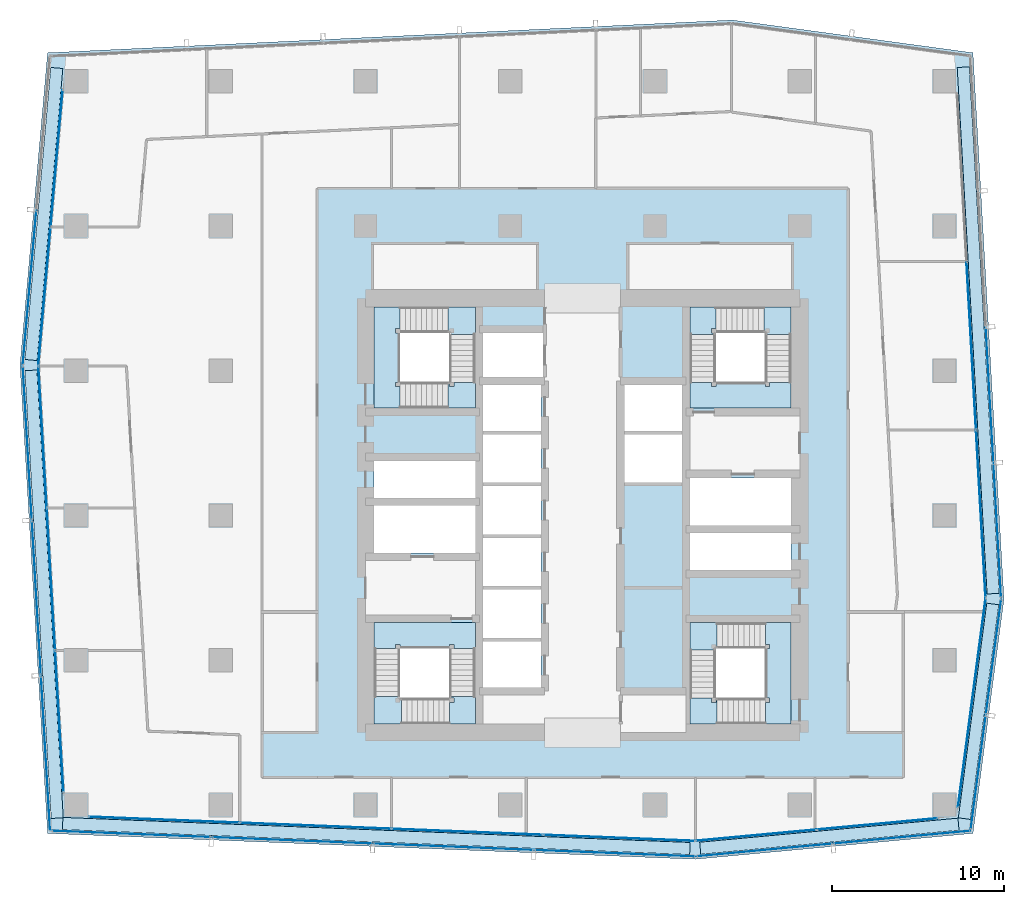
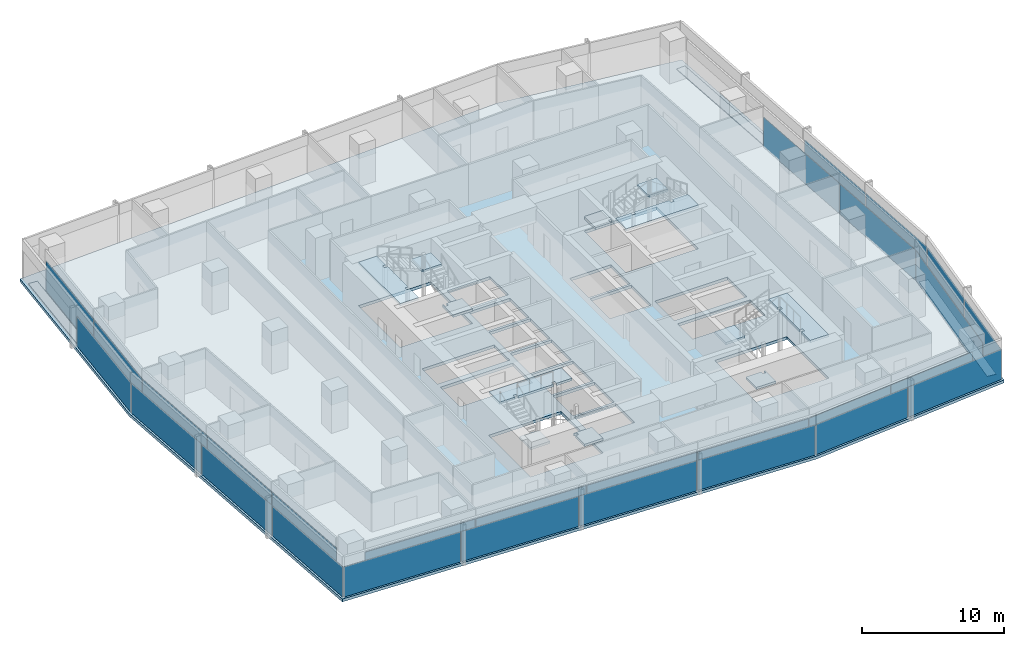
# One storey, part 26 of 38: 34 plates, 13 slabs, 16 elements without a shape of their own.
"""IFC4 building model written with IfcOpenShell, lengths in metres."""

from ifc_helpers import new_model, si_unit, direction, frame, origin, origin_2d, place, context, subcontext, project, spatial, polyline, rectangle, outline, extrude, material, layer, layer_set, type_object, element, aggregate, save


model = new_model("IFC4")

# Units and contexts
model_context = context("Model", 3, precision=1e-05, world=origin(), true_north=direction((0.0, 1.0)))
body_context = subcontext(model_context, "Body", "Model", "MODEL_VIEW")
ifc_project = project(units=[si_unit("LENGTHUNIT", "METRE"), si_unit("AREAUNIT", "SQUARE_METRE"), si_unit("VOLUMEUNIT", "CUBIC_METRE"), si_unit("PLANEANGLEUNIT", "RADIAN"), si_unit("MASSUNIT", "GRAM", prefix="KILO")], contexts=[model_context])

# Site, building, storey
site_placement = place(None, origin())
site = spatial("IfcSite", under=ifc_project, at=site_placement, CompositionType="ELEMENT")
building_placement = place(site_placement, origin())
building = spatial("IfcBuilding", under=site, at=building_placement, Name="Rekha Terrace Tower", CompositionType="ELEMENT")
storey_placement = place(building_placement, frame((0.0, 0.0, 195.199951171875)))
storey = spatial("IfcBuildingStorey", under=building, at=storey_placement, Name="L49", CompositionType="ELEMENT", Elevation=195.199951171875)

# Curtain wall, plates
ifc_material_1 = material(Name="Aluminium framing", Category="aluminium")
curtain_wall_type_1 = type_object("IfcCurtainWallType", Name="CW1 double skin inner glazing", PredefinedType="USERDEFINED", material=ifc_material_1)
curtain_wall_1_placement = place(storey_placement, origin())
curtain_wall_1 = element("IfcCurtainWall", 1, at=curtain_wall_1_placement, inside=storey, type_object=curtain_wall_type_1, Name="CW1 double skin inner glazing", ObjectType="DOUBLE SKIN INNER GLAZING", PredefinedType="USERDEFINED")
ifc_material_2 = material(Name="Double-glazed low-e unit 32", Category="glass")
ifc_layer_1 = layer(ifc_material_2, 0.031982421875)
ifc_layer_set_1 = layer_set([ifc_layer_1], Name="Double-glazed low-e unit 32")
plate_type_1 = type_object("IfcPlateType", Name="CW1 jumbo vision panel, double-glazed low-e unit 32", PredefinedType="CURTAIN_PANEL", material=ifc_layer_set_1)
plate_1_placement = place(storey_placement, frame((13.51318359375, 15.94091796875, 0.0), z_axis=(0.0, 0.0, 1.0), x_axis=(0.999204775798, -0.039872497061, 0.0)))
plate_1 = element("IfcPlate", 2, at=plate_1_placement, type_object=plate_type_1, Name="CW1 panel 1.1", PredefinedType="CURTAIN_PANEL", context=body_context, shape_type="SweptSolid", body=[
    extrude(rectangle(XDim=8.7138671875, YDim=0.031982421875, at=origin_2d()), origin(), (0.0, 0.0, 1.0), 2.60009765625),
])
plate_2_placement = place(storey_placement, frame((22.301025390625, 15.59033203125, 0.0), z_axis=(0.0, 0.0, 1.0), x_axis=(0.999204775798, -0.039872497061, 0.0)))
plate_2 = element("IfcPlate", 3, at=plate_2_placement, type_object=plate_type_1, Name="CW1 panel 2.1", PredefinedType="CURTAIN_PANEL", context=body_context, shape_type="SweptSolid", body=[
    extrude(rectangle(XDim=8.746337890625, YDim=0.031982421875, at=origin_2d()), origin(), (0.0, 0.0, 1.0), 2.60009765625),
])
plate_3_placement = place(storey_placement, frame((31.10546875, 15.239013671875, 0.0), z_axis=(0.0, 0.0, 1.0), x_axis=(0.999204775798, -0.039872497061, 0.0)))
plate_3 = element("IfcPlate", 4, at=plate_3_placement, type_object=plate_type_1, Name="CW1 panel 3.1", PredefinedType="CURTAIN_PANEL", context=body_context, shape_type="SweptSolid", body=[
    extrude(rectangle(XDim=8.746337890625, YDim=0.031982421875, at=origin_2d()), origin(), (0.0, 0.0, 1.0), 2.60009765625),
])
plate_4_placement = place(storey_placement, frame((39.926025390625, 14.886962890625, 0.0), z_axis=(0.0, 0.0, 1.0), x_axis=(0.999204775798, -0.039872497061, 0.0)))
plate_4 = element("IfcPlate", 5, at=plate_4_placement, type_object=plate_type_1, Name="CW1 panel 4.1", PredefinedType="CURTAIN_PANEL", context=body_context, shape_type="SweptSolid", body=[
    extrude(rectangle(XDim=8.77880859375, YDim=0.031982421875, at=origin_2d()), origin(), (0.0, 0.0, 1.0), 2.60009765625),
])
aggregate(curtain_wall_1, [plate_1, plate_2, plate_3, plate_4])

curtain_wall_2_placement = place(storey_placement, origin())
curtain_wall_2 = element("IfcCurtainWall", 6, at=curtain_wall_2_placement, inside=storey, type_object=curtain_wall_type_1, Name="CW1 double skin inner glazing", ObjectType="DOUBLE SKIN INNER GLAZING", PredefinedType="USERDEFINED")
plate_5_placement = place(storey_placement, frame((47.863037109375, 15.042724609375, 0.0), z_axis=(0.0, 0.0, 1.0), x_axis=(0.995693258742, 0.092708869564, 0.0)))
plate_5 = element("IfcPlate", 7, at=plate_5_placement, type_object=plate_type_1, Name="CW1 panel 1.1", PredefinedType="CURTAIN_PANEL", context=body_context, shape_type="SweptSolid", body=[
    extrude(rectangle(XDim=7.003173828125, YDim=0.031982421875, at=origin_2d()), origin(), (0.0, 0.0, 1.0), 2.60009765625),
])
plate_6_placement = place(storey_placement, frame((54.90087890625, 15.697998046875, 0.0), z_axis=(0.0, 0.0, 1.0), x_axis=(0.995693258742, 0.092708869564, 0.0)))
plate_6 = element("IfcPlate", 8, at=plate_6_placement, type_object=plate_type_1, Name="CW1 panel 2.1", PredefinedType="CURTAIN_PANEL", context=body_context, shape_type="SweptSolid", body=[
    extrude(rectangle(XDim=7.003173828125, YDim=0.031982421875, at=origin_2d()), origin(), (0.0, 0.0, 1.0), 2.60009765625),
])
aggregate(curtain_wall_2, [plate_5, plate_6])

# Curtain wall, plate
curtain_wall_3_placement = place(storey_placement, origin())
curtain_wall_3 = element("IfcCurtainWall", 9, at=curtain_wall_3_placement, inside=storey, type_object=curtain_wall_type_1, Name="CW1 double skin inner glazing", ObjectType="DOUBLE SKIN INNER GLAZING", PredefinedType="USERDEFINED")
plate_7_placement = place(storey_placement, frame((60.38330078125, 22.718505859375, 0.0), z_axis=(0.0, 0.0, 1.0), x_axis=(0.131303603093, 0.991342203185, 0.0)))
plate_7 = element("IfcPlate", 10, at=plate_7_placement, type_object=plate_type_1, Name="CW1 panel 1.1", PredefinedType="CURTAIN_PANEL", context=body_context, shape_type="SweptSolid", body=[
    extrude(rectangle(XDim=12.228759765625, YDim=0.031982421875, at=origin_2d()), origin(), (0.0, 0.0, 1.0), 2.60009765625),
])
aggregate(curtain_wall_3, [plate_7])

# Curtain wall, plates
curtain_wall_4_placement = place(storey_placement, origin())
curtain_wall_4 = element("IfcCurtainWall", 11, at=curtain_wall_4_placement, inside=storey, type_object=curtain_wall_type_1, Name="CW1 double skin inner glazing", ObjectType="DOUBLE SKIN INNER GLAZING", PredefinedType="USERDEFINED")
plate_8_placement = place(storey_placement, frame((60.90771484375, 33.68408203125, 0.0), z_axis=(0.0, 0.0, 1.0), x_axis=(-0.05667319486, 0.998392782919, 0.0)))
plate_8 = element("IfcPlate", 12, at=plate_8_placement, type_object=plate_type_1, Name="CW1 panel 1.1", PredefinedType="CURTAIN_PANEL", context=body_context, shape_type="SweptSolid", body=[
    extrude(rectangle(XDim=9.694091796875, YDim=0.031982421875, at=origin_2d()), origin(), (0.0, 0.0, 1.0), 2.60009765625),
])
plate_9_placement = place(storey_placement, frame((60.353759765625, 43.44384765625, 0.0), z_axis=(0.0, 0.0, 1.0), x_axis=(-0.05667319486, 0.998392782919, 0.0)))
plate_9 = element("IfcPlate", 13, at=plate_9_placement, type_object=plate_type_1, Name="CW1 panel 2.1", PredefinedType="CURTAIN_PANEL", context=body_context, shape_type="SweptSolid", body=[
    extrude(rectangle(XDim=9.7265625, YDim=0.031982421875, at=origin_2d()), origin(), (0.0, 0.0, 1.0), 2.60009765625),
])
aggregate(curtain_wall_4, [plate_8, plate_9])

curtain_wall_5_placement = place(storey_placement, origin())
curtain_wall_5 = element("IfcCurtainWall", 14, at=curtain_wall_5_placement, inside=storey, type_object=curtain_wall_type_1, Name="CW1 double skin inner glazing", ObjectType="DOUBLE SKIN INNER GLAZING", PredefinedType="USERDEFINED")
plate_10_placement = place(storey_placement, frame((7.273193359375, 54.32421875, 0.0), z_axis=(0.0, 0.0, 1.0), x_axis=(-0.087957985523, -0.996124185422, 0.0)))
plate_10 = element("IfcPlate", 15, at=plate_10_placement, type_object=plate_type_1, Name="CW1 panel 1.1", PredefinedType="CURTAIN_PANEL", context=body_context, shape_type="SweptSolid", body=[
    extrude(rectangle(XDim=7.950927734375, YDim=0.031982421875, at=origin_2d()), origin(), (0.0, 0.0, 1.0), 2.60009765625),
])
plate_11_placement = place(storey_placement, frame((6.565185546875, 46.306884765625, 0.0), z_axis=(0.0, 0.0, 1.0), x_axis=(-0.087957985523, -0.996124185422, 0.0)))
plate_11 = element("IfcPlate", 16, at=plate_11_placement, type_object=plate_type_1, Name="CW1 panel 2.1", PredefinedType="CURTAIN_PANEL", context=body_context, shape_type="SweptSolid", body=[
    extrude(rectangle(XDim=8.01611328125, YDim=0.031982421875, at=origin_2d()), origin(), (0.0, 0.0, 1.0), 2.60009765625),
])
aggregate(curtain_wall_5, [plate_10, plate_11])

curtain_wall_6_placement = place(storey_placement, origin())
curtain_wall_6 = element("IfcCurtainWall", 17, at=curtain_wall_6_placement, inside=storey, type_object=curtain_wall_type_1, Name="CW1 double skin inner glazing", ObjectType="DOUBLE SKIN INNER GLAZING", PredefinedType="USERDEFINED")
plate_12_placement = place(storey_placement, frame((6.457275390625, 38.1611328125, 0.0), z_axis=(0.0, 0.0, 1.0), x_axis=(0.058765082516, -0.998271839269, 0.0)))
plate_12 = element("IfcPlate", 18, at=plate_12_placement, type_object=plate_type_1, Name="CW1 panel 1.1", PredefinedType="CURTAIN_PANEL", context=body_context, shape_type="SweptSolid", body=[
    extrude(rectangle(XDim=8.19091796875, YDim=0.031982421875, at=origin_2d()), origin(), (0.0, 0.0, 1.0), 2.60009765625),
])
plate_13_placement = place(storey_placement, frame((6.943359375, 29.9033203125, 0.0), z_axis=(0.0, 0.0, 1.0), x_axis=(0.058765082516, -0.998271839269, 0.0)))
plate_13 = element("IfcPlate", 19, at=plate_13_placement, type_object=plate_type_1, Name="CW1 panel 2.1", PredefinedType="CURTAIN_PANEL", context=body_context, shape_type="SweptSolid", body=[
    extrude(rectangle(XDim=8.223388671875, YDim=0.031982421875, at=origin_2d()), origin(), (0.0, 0.0, 1.0), 2.60009765625),
])
plate_14_placement = place(storey_placement, frame((7.429443359375, 21.645263671875, 0.0), z_axis=(0.0, 0.0, 1.0), x_axis=(0.058765082516, -0.998271839269, 0.0)))
plate_14 = element("IfcPlate", 20, at=plate_14_placement, type_object=plate_type_1, Name="CW1 panel 3.1", PredefinedType="CURTAIN_PANEL", context=body_context, shape_type="SweptSolid", body=[
    extrude(rectangle(XDim=8.19091796875, YDim=0.031982421875, at=origin_2d()), origin(), (0.0, 0.0, 1.0), 2.60009765625),
])
aggregate(curtain_wall_6, [plate_12, plate_13, plate_14])

curtain_wall_type_2 = type_object("IfcCurtainWallType", Name="CW2 double skin outer glazing", PredefinedType="USERDEFINED", material=ifc_material_1)
curtain_wall_7_placement = place(storey_placement, origin())
curtain_wall_7 = element("IfcCurtainWall", 21, at=curtain_wall_7_placement, inside=storey, type_object=curtain_wall_type_2, Name="CW2 double skin outer glazing", ObjectType="DOUBLE SKIN OUTER GLAZING", PredefinedType="USERDEFINED")
ifc_material_3 = material(Name="Toughened single glazing 12", Category="glass")
ifc_layer_2 = layer(ifc_material_3, 0.011962890625)
ifc_layer_set_2 = layer_set([ifc_layer_2], Name="Toughened single glazing 12")
plate_type_2 = type_object("IfcPlateType", Name="CW2 jumbo vision panel, toughened single glazing 12", PredefinedType="CURTAIN_PANEL", material=ifc_layer_set_2)
plate_15_placement = place(storey_placement, frame((11.6005859375, 15.116455078125, 0.0), z_axis=(0.0, 0.0, 1.0), x_axis=(0.999204775799, -0.039872497044, 0.0)))
plate_15 = element("IfcPlate", 22, at=plate_15_placement, type_object=plate_type_2, Name="CW2 panel 1.1", PredefinedType="CURTAIN_PANEL", context=body_context, shape_type="SweptSolid", body=[
    extrude(rectangle(XDim=9.24609375, YDim=0.011962890625, at=origin_2d()), origin(), (0.0, 0.0, 1.0), 2.60009765625),
])
plate_16_placement = place(storey_placement, frame((20.939208984375, 14.743896484375, 0.0), z_axis=(0.0, 0.0, 1.0), x_axis=(0.999204775799, -0.039872497044, 0.0)))
plate_16 = element("IfcPlate", 23, at=plate_16_placement, type_object=plate_type_2, Name="CW2 panel 2.1", PredefinedType="CURTAIN_PANEL", context=body_context, shape_type="SweptSolid", body=[
    extrude(rectangle(XDim=9.2861328125, YDim=0.011962890625, at=origin_2d()), origin(), (0.0, 0.0, 1.0), 2.60009765625),
])
plate_17_placement = place(storey_placement, frame((30.2978515625, 14.370361328125, 0.0), z_axis=(0.0, 0.0, 1.0), x_axis=(0.999204775799, -0.039872497044, 0.0)))
plate_17 = element("IfcPlate", 24, at=plate_17_placement, type_object=plate_type_2, Name="CW2 panel 3.1", PredefinedType="CURTAIN_PANEL", context=body_context, shape_type="SweptSolid", body=[
    extrude(rectangle(XDim=9.2861328125, YDim=0.011962890625, at=origin_2d()), origin(), (0.0, 0.0, 1.0), 2.60009765625),
])
plate_18_placement = place(storey_placement, frame((39.676513671875, 13.996337890625, 0.0), z_axis=(0.0, 0.0, 1.0), x_axis=(0.999204775799, -0.039872497044, 0.0)))
plate_18 = element("IfcPlate", 25, at=plate_18_placement, type_object=plate_type_2, Name="CW2 panel 4.1", PredefinedType="CURTAIN_PANEL", context=body_context, shape_type="SweptSolid", body=[
    extrude(rectangle(XDim=9.326171875, YDim=0.011962890625, at=origin_2d()), origin(), (0.0, 0.0, 1.0), 2.60009765625),
])
aggregate(curtain_wall_7, [plate_15, plate_16, plate_17, plate_18])

curtain_wall_8_placement = place(storey_placement, origin())
curtain_wall_8 = element("IfcCurtainWall", 26, at=curtain_wall_8_placement, inside=storey, type_object=curtain_wall_type_2, Name="CW2 double skin outer glazing", ObjectType="DOUBLE SKIN OUTER GLAZING", PredefinedType="USERDEFINED")
plate_19_placement = place(storey_placement, frame((48.348876953125, 14.183837890625, 0.0), z_axis=(0.0, 0.0, 1.0), x_axis=(0.995693258747, 0.092708869512, 0.0)))
plate_19 = element("IfcPlate", 27, at=plate_19_placement, type_object=plate_type_2, Name="CW2 panel 1.1", PredefinedType="CURTAIN_PANEL", context=body_context, shape_type="SweptSolid", body=[
    extrude(rectangle(XDim=7.900634765625, YDim=0.011962890625, at=origin_2d()), origin(), (0.0, 0.0, 1.0), 2.60009765625),
])
plate_20_placement = place(storey_placement, frame((56.3349609375, 14.927490234375, 0.0), z_axis=(0.0, 0.0, 1.0), x_axis=(0.995693258747, 0.092708869512, 0.0)))
plate_20 = element("IfcPlate", 28, at=plate_20_placement, type_object=plate_type_2, Name="CW2 panel 2.1", PredefinedType="CURTAIN_PANEL", context=body_context, shape_type="SweptSolid", body=[
    extrude(rectangle(XDim=7.980712890625, YDim=0.011962890625, at=origin_2d()), origin(), (0.0, 0.0, 1.0), 2.60009765625),
])
aggregate(curtain_wall_8, [plate_19, plate_20])

curtain_wall_9_placement = place(storey_placement, origin())
curtain_wall_9 = element("IfcCurtainWall", 29, at=curtain_wall_9_placement, inside=storey, type_object=curtain_wall_type_2, Name="CW2 double skin outer glazing", ObjectType="DOUBLE SKIN OUTER GLAZING", PredefinedType="USERDEFINED")
plate_21_placement = place(storey_placement, frame((60.756103515625, 18.679443359375, 0.0), z_axis=(0.0, 0.0, 1.0), x_axis=(0.131303603075, 0.991342203187, 0.0)))
plate_21 = element("IfcPlate", 30, at=plate_21_placement, type_object=plate_type_2, Name="CW2 panel 1.1", PredefinedType="CURTAIN_PANEL", context=body_context, shape_type="SweptSolid", body=[
    extrude(rectangle(XDim=6.6630859375, YDim=0.011962890625, at=origin_2d()), origin(), (0.0, 0.0, 1.0), 2.60009765625),
])
plate_22_placement = place(storey_placement, frame((61.646728515625, 25.40380859375, 0.0), z_axis=(0.0, 0.0, 1.0), x_axis=(0.131303603075, 0.991342203187, 0.0)))
plate_22 = element("IfcPlate", 31, at=plate_22_placement, type_object=plate_type_2, Name="CW2 panel 2.1", PredefinedType="CURTAIN_PANEL", context=body_context, shape_type="SweptSolid", body=[
    extrude(rectangle(XDim=6.742919921875, YDim=0.011962890625, at=origin_2d()), origin(), (0.0, 0.0, 1.0), 2.60009765625),
])
aggregate(curtain_wall_9, [plate_21, plate_22])

curtain_wall_10_placement = place(storey_placement, origin())
curtain_wall_10 = element("IfcCurtainWall", 32, at=curtain_wall_10_placement, inside=storey, type_object=curtain_wall_type_2, Name="CW2 double skin outer glazing", ObjectType="DOUBLE SKIN OUTER GLAZING", PredefinedType="USERDEFINED")
plate_23_placement = place(storey_placement, frame((61.8642578125, 32.71142578125, 0.0), z_axis=(0.0, 0.0, 1.0), x_axis=(-0.05667319486, 0.998392782919, 0.0)))
plate_23 = element("IfcPlate", 33, at=plate_23_placement, type_object=plate_type_2, Name="CW2 panel 1.1", PredefinedType="CURTAIN_PANEL", context=body_context, shape_type="SweptSolid", body=[
    extrude(rectangle(XDim=7.783447265625, YDim=0.011962890625, at=origin_2d()), origin(), (0.0, 0.0, 1.0), 2.60009765625),
])
plate_24_placement = place(storey_placement, frame((61.41748046875, 40.582275390625, 0.0), z_axis=(0.0, 0.0, 1.0), x_axis=(-0.05667319486, 0.998392782919, 0.0)))
plate_24 = element("IfcPlate", 34, at=plate_24_placement, type_object=plate_type_2, Name="CW2 panel 2.1", PredefinedType="CURTAIN_PANEL", context=body_context, shape_type="SweptSolid", body=[
    extrude(rectangle(XDim=7.823486328125, YDim=0.011962890625, at=origin_2d()), origin(), (0.0, 0.0, 1.0), 2.60009765625),
])
aggregate(curtain_wall_10, [plate_23, plate_24])

# Curtain wall, plate
curtain_wall_11_placement = place(storey_placement, origin())
curtain_wall_11 = element("IfcCurtainWall", 35, at=curtain_wall_11_placement, inside=storey, type_object=curtain_wall_type_2, Name="CW2 double skin outer glazing", ObjectType="DOUBLE SKIN OUTER GLAZING", PredefinedType="USERDEFINED")
plate_25_placement = place(storey_placement, frame((5.705322265625, 46.800048828125, 0.0), z_axis=(0.0, 0.0, 1.0), x_axis=(-0.087957985453, -0.996124185428, 0.0)))
plate_25 = element("IfcPlate", 36, at=plate_25_placement, type_object=plate_type_2, Name="CW2 panel 2.1", PredefinedType="CURTAIN_PANEL", context=body_context, shape_type="SweptSolid", body=[
    extrude(rectangle(XDim=8.9794921875, YDim=0.011962890625, at=origin_2d()), origin(), (0.0, 0.0, 1.0), 2.60009765625),
])
aggregate(curtain_wall_11, [plate_25])

# Curtain wall, plates
curtain_wall_12_placement = place(storey_placement, origin())
curtain_wall_12 = element("IfcCurtainWall", 37, at=curtain_wall_12_placement, inside=storey, type_object=curtain_wall_type_2, Name="CW2 double skin outer glazing", ObjectType="DOUBLE SKIN OUTER GLAZING", PredefinedType="USERDEFINED")
plate_26_placement = place(storey_placement, frame((5.57666015625, 37.8037109375, 0.0), z_axis=(0.0, 0.0, 1.0), x_axis=(0.058765082499, -0.99827183927, 0.0)))
plate_26 = element("IfcPlate", 38, at=plate_26_placement, type_object=plate_type_2, Name="CW2 panel 1.1", PredefinedType="CURTAIN_PANEL", context=body_context, shape_type="SweptSolid", body=[
    extrude(rectangle(XDim=8.903564453125, YDim=0.011962890625, at=origin_2d()), origin(), (0.0, 0.0, 1.0), 2.60009765625),
])
plate_27_placement = place(storey_placement, frame((6.105712890625, 28.81591796875, 0.0), z_axis=(0.0, 0.0, 1.0), x_axis=(0.058765082499, -0.99827183927, 0.0)))
plate_27 = element("IfcPlate", 39, at=plate_27_placement, type_object=plate_type_2, Name="CW2 panel 2.1", PredefinedType="CURTAIN_PANEL", context=body_context, shape_type="SweptSolid", body=[
    extrude(rectangle(XDim=8.943359375, YDim=0.011962890625, at=origin_2d()), origin(), (0.0, 0.0, 1.0), 2.60009765625),
])
plate_28_placement = place(storey_placement, frame((6.63720703125, 19.7880859375, 0.0), z_axis=(0.0, 0.0, 1.0), x_axis=(0.058765082499, -0.99827183927, 0.0)))
plate_28 = element("IfcPlate", 40, at=plate_28_placement, type_object=plate_type_2, Name="CW2 panel 3.1", PredefinedType="CURTAIN_PANEL", context=body_context, shape_type="SweptSolid", body=[
    extrude(rectangle(XDim=8.9833984375, YDim=0.011962890625, at=origin_2d()), origin(), (0.0, 0.0, 1.0), 2.60009765625),
])
aggregate(curtain_wall_12, [plate_26, plate_27, plate_28])

# Plates
ifc_material_4 = material(Name="Galvanised steel open grating", Category="steel")
ifc_layer_3 = layer(ifc_material_4, 0.050048828125)
ifc_layer_set_3 = layer_set([ifc_layer_3], Name="Galvanised steel open grating")
plate_type_3 = type_object("IfcPlateType", Name="GT1 cavity walkway grating 50", PredefinedType="USERDEFINED", material=ifc_layer_set_3)
plate_29_placement = place(storey_placement, frame((25.8251953125, 14.999267578125, 0.0), z_axis=(0.0, 0.0, 1.0), x_axis=(0.999204775799, -0.039872497044, 0.0)))
element("IfcPlate", 41, at=plate_29_placement, inside=storey, type_object=plate_type_3, Name="Cavity walkway grating", ObjectType="CAVITY WALKWAY GRATING", PredefinedType="USERDEFINED", context=body_context, shape_type="SweptSolid", body=[
    extrude(rectangle(XDim=36.4267578125, YDim=0.705078125, at=origin_2d()), origin(), (0.0, 0.0, 1.0), 0.050048828125),
])
plate_30_placement = place(storey_placement, frame((52.116455078125, 14.98681640625, 0.0), z_axis=(0.0, 0.0, 1.0), x_axis=(0.995693258745, 0.092708869529, 0.0)))
element("IfcPlate", 42, at=plate_30_placement, inside=storey, type_object=plate_type_3, Name="Cavity walkway grating", ObjectType="CAVITY WALKWAY GRATING", PredefinedType="USERDEFINED", context=body_context, shape_type="SweptSolid", body=[
    extrude(rectangle(XDim=15.052734375, YDim=0.705078125, at=origin_2d()), origin(), (0.0, 0.0, 1.0), 0.050048828125),
])
plate_31_placement = place(storey_placement, frame((60.7734375, 22.237548828125, 0.0), z_axis=(0.0, 0.0, 1.0), x_axis=(0.131303603075, 0.991342203187, 0.0)))
element("IfcPlate", 43, at=plate_31_placement, inside=storey, type_object=plate_type_3, Name="Cavity walkway grating", ObjectType="CAVITY WALKWAY GRATING", PredefinedType="USERDEFINED", context=body_context, shape_type="SweptSolid", body=[
    extrude(rectangle(XDim=12.564697265625, YDim=0.705078125, at=origin_2d()), origin(), (0.0, 0.0, 1.0), 0.050048828125),
])
plate_32_placement = place(storey_placement, frame((60.753662109375, 44.338134765625, 0.0), z_axis=(0.0, 0.0, 1.0), x_axis=(-0.05667319486, 0.998392782919, 0.0)))
element("IfcPlate", 44, at=plate_32_placement, inside=storey, type_object=plate_type_3, Name="Cavity walkway grating", ObjectType="CAVITY WALKWAY GRATING", PredefinedType="USERDEFINED", context=body_context, shape_type="SweptSolid", body=[
    extrude(rectangle(XDim=30.6005859375, YDim=0.705078125, at=origin_2d()), origin(), (0.0, 0.0, 1.0), 0.050048828125),
])
plate_33_placement = place(storey_placement, frame((6.5361328125, 51.093505859375, 0.0), z_axis=(0.0, 0.0, 1.0), x_axis=(-0.087957985471, -0.996124185427, 0.0)))
element("IfcPlate", 45, at=plate_33_placement, inside=storey, type_object=plate_type_3, Name="Cavity walkway grating", ObjectType="CAVITY WALKWAY GRATING", PredefinedType="USERDEFINED", context=body_context, shape_type="SweptSolid", body=[
    extrude(rectangle(XDim=17.013427734375, YDim=0.705078125, at=origin_2d()), origin(), (0.0, 0.0, 1.0), 0.050048828125),
])
plate_34_placement = place(storey_placement, frame((6.5439453125, 29.029296875, 0.0), z_axis=(0.0, 0.0, 1.0), x_axis=(0.058765082516, -0.998271839269, 0.0)))
element("IfcPlate", 46, at=plate_34_placement, inside=storey, type_object=plate_type_3, Name="Cavity walkway grating", ObjectType="CAVITY WALKWAY GRATING", PredefinedType="USERDEFINED", context=body_context, shape_type="SweptSolid", body=[
    extrude(rectangle(XDim=26.029541015625, YDim=0.705078125, at=origin_2d()), origin(), (0.0, 0.0, 1.0), 0.050048828125),
])

# Stair, slabs
ifc_material_5 = material(Name="Concrete M40", Category="concrete")
stair_type = type_object("IfcStairType", Name="ST30 stair, 30 risers of 125, going 310, 1500 wide flights, 3 flights", PredefinedType="HALF_TURN_STAIR", material=ifc_material_5)
stair_1_placement = place(storey_placement, origin())
stair_1 = element("IfcStair", 47, at=stair_1_placement, inside=storey, type_object=stair_type, Name="Stair ST1 L49 to L50", PredefinedType="HALF_TURN_STAIR")
ifc_layer_4 = layer(ifc_material_5, 0.199951171875)
ifc_layer_set_4 = layer_set([ifc_layer_4], Name="Concrete M40")
slab_type_1 = type_object("IfcSlabType", Name="LD1 200 concrete stair landing", PredefinedType="LANDING", material=ifc_layer_set_4)
slab_1_placement = place(storey_placement, frame((0.0, 0.0, 1.050048828125)))
slab_1 = element("IfcSlab", 48, at=slab_1_placement, type_object=slab_type_1, Name="ST1 landing 1", PredefinedType="LANDING", context=body_context, shape_type="SweptSolid", body=[
    extrude(outline(polyline([(30.074951171875, 21.5), (31.574951171875, 21.5), (31.574951171875, 23.0849609375), (30.074951171875, 23.0849609375), (30.074951171875, 23.0), (30.324951171875, 23.0), (30.324951171875, 22.75), (30.074951171875, 22.75), (30.074951171875, 21.5)])), origin(), (0.0, 0.0, 1.0), 0.199951171875),
])
slab_2_placement = place(storey_placement, frame((0.0, 0.0, 2.300048828125)))
slab_2 = element("IfcSlab", 49, at=slab_2_placement, type_object=slab_type_1, Name="ST1 landing 2", PredefinedType="LANDING", context=body_context, shape_type="SweptSolid", body=[
    extrude(outline(polyline([(27.199951171875, 23.0849609375), (25.699951171875, 23.0849609375), (25.699951171875, 21.5), (27.284912109375, 21.5), (27.284912109375, 23.0), (27.199951171875, 23.0), (27.199951171875, 23.0849609375)])), origin(), (0.0, 0.0, 1.0), 0.199951171875),
])
slab_3_placement = place(storey_placement, frame((0.0, 0.0, 3.550048828125)))
slab_3 = element("IfcSlab", 50, at=slab_3_placement, type_object=slab_type_1, Name="ST1 landing 3", PredefinedType="LANDING", context=body_context, shape_type="SweptSolid", body=[
    extrude(outline(polyline([(31.574951171875, 25.875), (31.574951171875, 27.375), (25.699951171875, 27.375), (25.699951171875, 25.875), (26.949951171875, 25.875), (26.949951171875, 26.125), (27.199951171875, 26.125), (27.199951171875, 25.875), (30.074951171875, 25.875), (30.074951171875, 26.125), (30.324951171875, 26.125), (30.324951171875, 25.875), (31.574951171875, 25.875)])), origin(), (0.0, 0.0, 1.0), 0.199951171875),
])
aggregate(stair_1, [slab_1, slab_2, slab_3])

stair_2_placement = place(storey_placement, origin())
stair_2 = element("IfcStair", 51, at=stair_2_placement, inside=storey, type_object=stair_type, Name="Stair ST2 L49 to L50", PredefinedType="HALF_TURN_STAIR")
slab_4_placement = place(storey_placement, frame((0.0, 0.0, 1.050048828125)))
slab_4 = element("IfcSlab", 52, at=slab_4_placement, type_object=slab_type_1, Name="ST2 landing 1", PredefinedType="LANDING", context=body_context, shape_type="SweptSolid", body=[
    extrude(outline(polyline([(45.52490234375, 45.699951171875), (44.02490234375, 45.699951171875), (44.02490234375, 44.114990234375), (45.52490234375, 44.114990234375), (45.52490234375, 44.199951171875), (45.27490234375, 44.199951171875), (45.27490234375, 44.449951171875), (45.52490234375, 44.449951171875), (45.52490234375, 45.699951171875)])), origin(), (0.0, 0.0, 1.0), 0.199951171875),
])
slab_5_placement = place(storey_placement, frame((0.0, 0.0, 2.300048828125)))
slab_5 = element("IfcSlab", 53, at=slab_5_placement, type_object=slab_type_1, Name="ST2 landing 2", PredefinedType="LANDING", context=body_context, shape_type="SweptSolid", body=[
    extrude(outline(polyline([(48.39990234375, 44.114990234375), (49.89990234375, 44.114990234375), (49.89990234375, 45.699951171875), (48.31494140625, 45.699951171875), (48.31494140625, 44.199951171875), (48.39990234375, 44.199951171875), (48.39990234375, 44.114990234375)])), origin(), (0.0, 0.0, 1.0), 0.199951171875),
])
slab_6_placement = place(storey_placement, frame((0.0, 0.0, 3.550048828125)))
slab_6 = element("IfcSlab", 54, at=slab_6_placement, type_object=slab_type_1, Name="ST2 landing 3", PredefinedType="LANDING", context=body_context, shape_type="SweptSolid", body=[
    extrude(outline(polyline([(44.02490234375, 41.324951171875), (44.02490234375, 39.824951171875), (49.89990234375, 39.824951171875), (49.89990234375, 41.324951171875), (48.64990234375, 41.324951171875), (48.64990234375, 41.074951171875), (48.39990234375, 41.074951171875), (48.39990234375, 41.324951171875), (45.52490234375, 41.324951171875), (45.52490234375, 41.074951171875), (45.27490234375, 41.074951171875), (45.27490234375, 41.324951171875), (44.02490234375, 41.324951171875)])), origin(), (0.0, 0.0, 1.0), 0.199951171875),
])
aggregate(stair_2, [slab_4, slab_5, slab_6])

stair_3_placement = place(storey_placement, origin())
stair_3 = element("IfcStair", 55, at=stair_3_placement, inside=storey, type_object=stair_type, Name="Stair ST3 L49 to L50", PredefinedType="HALF_TURN_STAIR")
slab_7_placement = place(storey_placement, frame((0.0, 0.0, 1.050048828125)))
slab_7 = element("IfcSlab", 56, at=slab_7_placement, type_object=slab_type_1, Name="ST3 landing 1", PredefinedType="LANDING", context=body_context, shape_type="SweptSolid", body=[
    extrude(outline(polyline([(44.02490234375, 23.0), (44.02490234375, 21.5), (45.610107421875, 21.5), (45.610107421875, 23.0), (45.52490234375, 23.0), (45.52490234375, 22.75), (45.27490234375, 22.75), (45.27490234375, 23.0), (44.02490234375, 23.0)])), origin(), (0.0, 0.0, 1.0), 0.199951171875),
])
slab_8_placement = place(storey_placement, frame((0.0, 0.0, 2.300048828125)))
slab_8 = element("IfcSlab", 57, at=slab_8_placement, type_object=slab_type_1, Name="ST3 landing 2", PredefinedType="LANDING", context=body_context, shape_type="SweptSolid", body=[
    extrude(outline(polyline([(45.610107421875, 25.875), (45.610107421875, 27.375), (44.02490234375, 27.375), (44.02490234375, 25.7900390625), (45.52490234375, 25.7900390625), (45.52490234375, 25.875), (45.610107421875, 25.875)])), origin(), (0.0, 0.0, 1.0), 0.199951171875),
])
slab_9_placement = place(storey_placement, frame((0.0, 0.0, 3.550048828125)))
slab_9 = element("IfcSlab", 58, at=slab_9_placement, type_object=slab_type_1, Name="ST3 landing 3", PredefinedType="LANDING", context=body_context, shape_type="SweptSolid", body=[
    extrude(outline(polyline([(48.39990234375, 21.5), (49.89990234375, 21.5), (49.89990234375, 27.375), (48.39990234375, 27.375), (48.39990234375, 26.125), (48.64990234375, 26.125), (48.64990234375, 25.875), (48.39990234375, 25.875), (48.39990234375, 23.0), (48.64990234375, 23.0), (48.64990234375, 22.75), (48.39990234375, 22.75), (48.39990234375, 21.5)])), origin(), (0.0, 0.0, 1.0), 0.199951171875),
])
aggregate(stair_3, [slab_7, slab_8, slab_9])

stair_4_placement = place(storey_placement, origin())
stair_4 = element("IfcStair", 59, at=stair_4_placement, inside=storey, type_object=stair_type, Name="Stair ST4 L49 to L50", PredefinedType="HALF_TURN_STAIR")
slab_10_placement = place(storey_placement, frame((0.0, 0.0, 1.050048828125)))
slab_10 = element("IfcSlab", 60, at=slab_10_placement, type_object=slab_type_1, Name="ST4 landing 1", PredefinedType="LANDING", context=body_context, shape_type="SweptSolid", body=[
    extrude(outline(polyline([(31.574951171875, 41.324951171875), (31.574951171875, 39.824951171875), (29.989990234375, 39.824951171875), (29.989990234375, 41.324951171875), (30.074951171875, 41.324951171875), (30.074951171875, 41.074951171875), (30.324951171875, 41.074951171875), (30.324951171875, 41.324951171875), (31.574951171875, 41.324951171875)])), origin(), (0.0, 0.0, 1.0), 0.199951171875),
])
slab_11_placement = place(storey_placement, frame((0.0, 0.0, 2.300048828125)))
slab_11 = element("IfcSlab", 61, at=slab_11_placement, type_object=slab_type_1, Name="ST4 landing 2", PredefinedType="LANDING", context=body_context, shape_type="SweptSolid", body=[
    extrude(outline(polyline([(29.989990234375, 44.199951171875), (29.989990234375, 45.699951171875), (31.574951171875, 45.699951171875), (31.574951171875, 44.114990234375), (30.074951171875, 44.114990234375), (30.074951171875, 44.199951171875), (29.989990234375, 44.199951171875)])), origin(), (0.0, 0.0, 1.0), 0.199951171875),
])
slab_12_placement = place(storey_placement, frame((0.0, 0.0, 3.550048828125)))
slab_12 = element("IfcSlab", 62, at=slab_12_placement, type_object=slab_type_1, Name="ST4 landing 3", PredefinedType="LANDING", context=body_context, shape_type="SweptSolid", body=[
    extrude(outline(polyline([(27.199951171875, 39.824951171875), (25.699951171875, 39.824951171875), (25.699951171875, 45.699951171875), (27.199951171875, 45.699951171875), (27.199951171875, 44.449951171875), (26.949951171875, 44.449951171875), (26.949951171875, 44.199951171875), (27.199951171875, 44.199951171875), (27.199951171875, 41.324951171875), (26.949951171875, 41.324951171875), (26.949951171875, 41.074951171875), (27.199951171875, 41.074951171875), (27.199951171875, 39.824951171875)])), origin(), (0.0, 0.0, 1.0), 0.199951171875),
])
aggregate(stair_4, [slab_10, slab_11, slab_12])

# Slab
ifc_material_6 = material(Name="Concrete M50", Category="concrete")
ifc_layer_5 = layer(ifc_material_6, 0.25)
ifc_layer_set_5 = layer_set([ifc_layer_5], Name="Concrete M50")
slab_type_2 = type_object("IfcSlabType", Name="SL4 250 post-tensioned flat plate", PredefinedType="FLOOR", material=ifc_layer_set_5)
slab_13_placement = place(storey_placement, frame((0.0, 0.0, -0.25)))
element("IfcSlab", 63, at=slab_13_placement, inside=storey, type_object=slab_type_2, Name="Post-tensioned flat plate L49", PredefinedType="FLOOR", context=body_context, shape_type="SweptSolid", body=[
    extrude(outline(polyline([(5.14990234375, 42.330078125), (6.75, 15.14990234375), (44.340087890625, 13.64990234375), (60.449951171875, 15.14990234375), (62.25, 28.739990234375), (60.449951171875, 60.449951171875), (46.488037109375, 62.35009765625), (6.75, 60.449951171875), (5.14990234375, 42.330078125)]), holes=[polyline([(31.574951171875, 27.375), (31.574951171875, 21.5), (25.699951171875, 21.5), (25.699951171875, 27.375), (31.574951171875, 27.375)]), polyline([(35.375, 26.300048828125), (35.375, 23.625), (32.02490234375, 23.625), (32.02490234375, 26.300048828125), (35.375, 26.300048828125)]), polyline([(35.375, 29.300048828125), (35.375, 26.5), (32.02490234375, 26.5), (32.02490234375, 29.300048828125), (35.375, 29.300048828125)]), polyline([(35.375, 32.300048828125), (35.375, 29.5), (32.02490234375, 29.5), (32.02490234375, 32.300048828125), (35.375, 32.300048828125)]), polyline([(31.574951171875, 34.175048828125), (31.574951171875, 31.425048828125), (25.699951171875, 31.425048828125), (25.699951171875, 34.175048828125), (31.574951171875, 34.175048828125)]), polyline([(35.375, 35.300048828125), (35.375, 32.5), (32.02490234375, 32.5), (32.02490234375, 35.300048828125), (35.375, 35.300048828125)]), polyline([(31.574951171875, 36.77490234375), (31.574951171875, 34.625), (25.699951171875, 34.625), (25.699951171875, 36.77490234375), (31.574951171875, 36.77490234375)]), polyline([(35.375, 38.300048828125), (35.375, 35.5), (32.02490234375, 35.5), (32.02490234375, 38.300048828125), (35.375, 38.300048828125)]), polyline([(31.574951171875, 45.699951171875), (31.574951171875, 39.824951171875), (25.699951171875, 39.824951171875), (25.699951171875, 45.699951171875), (31.574951171875, 45.699951171875)]), polyline([(49.89990234375, 27.375), (49.89990234375, 21.5), (44.02490234375, 21.5), (44.02490234375, 27.375), (49.89990234375, 27.375)]), polyline([(49.89990234375, 32.574951171875), (49.89990234375, 30.425048828125), (44.02490234375, 30.425048828125), (44.02490234375, 32.574951171875), (49.89990234375, 32.574951171875)]), polyline([(49.89990234375, 35.77490234375), (49.89990234375, 33.02490234375), (44.02490234375, 33.02490234375), (44.02490234375, 35.77490234375), (49.89990234375, 35.77490234375)]), polyline([(43.574951171875, 38.300048828125), (43.574951171875, 35.5), (40.22509765625, 35.5), (40.22509765625, 38.300048828125), (43.574951171875, 38.300048828125)]), polyline([(35.375, 41.175048828125), (35.375, 38.5), (32.02490234375, 38.5), (32.02490234375, 41.175048828125), (35.375, 41.175048828125)]), polyline([(43.574951171875, 41.175048828125), (43.574951171875, 38.5), (40.22509765625, 38.5), (40.22509765625, 41.175048828125), (43.574951171875, 41.175048828125)]), polyline([(49.89990234375, 39.824951171875), (44.02490234375, 39.824951171875), (44.02490234375, 45.699951171875), (49.89990234375, 45.699951171875), (49.89990234375, 39.824951171875)]), polyline([(35.5, 41.625), (32.02490234375, 41.625), (32.02490234375, 44.175048828125), (35.5, 44.175048828125), (35.5, 41.625)])]), origin(), (0.0, 0.0, 1.0), 0.25),
])

save(model, "model.ifc")
